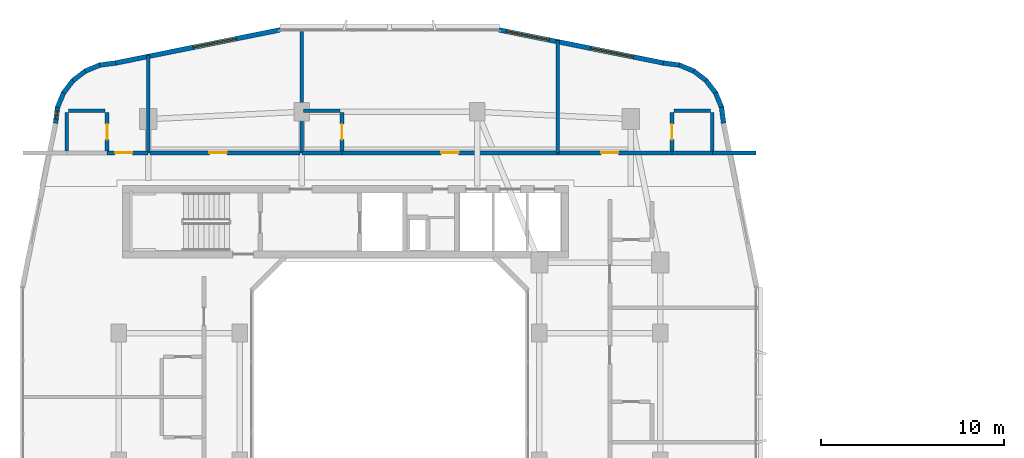
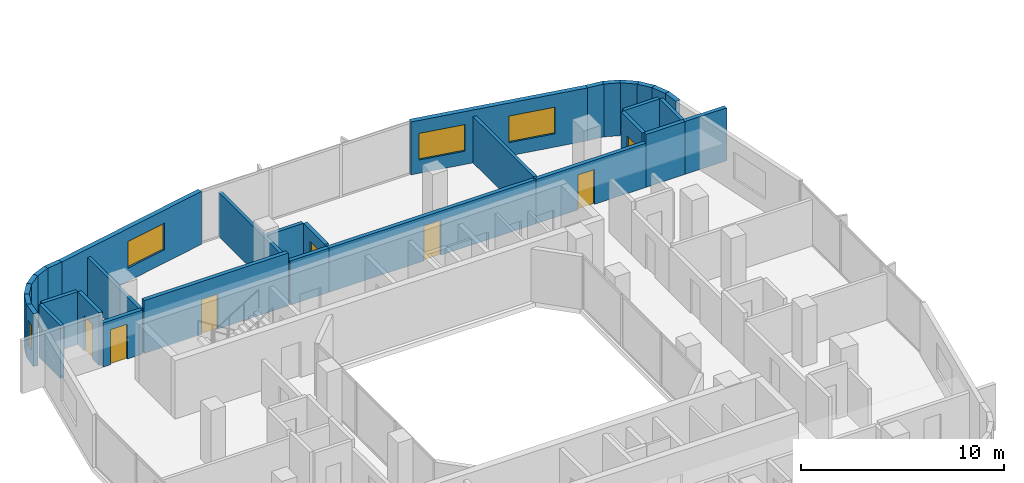
# One storey, part 16 of 26: 32 walls, 7 doors, 4 windows, 11 openings.
"""IFC4 building model written with IfcOpenShell, lengths in metres."""

import ifcopenshell
import ifcopenshell.guid

model = None  # the IFC model being written
_history = None  # IfcOwnerHistory: only IFC2X3 demands one
_inside = {}  # id of a spatial element -> (the spatial element, [elements in it])
_under = {}  # id of a project, library or spatial element -> (it, [spatial elements below it])
_declared = {}  # id of a project -> (the project, [libraries it declares])
_typed = {}  # id of a type object -> (the type object, [elements of that type])
_made_of = {}  # id of a material, layer set ... -> (it, [elements and type objects made of it])


def new_model(schema):
    """Start an empty IFC model of exactly this schema.

    Asked for "IFC4X3", IfcOpenShell would pick the latest addendum, in which some entities
    have other attributes; the version numbers below select the first issue.
    IFC2X3 requires an IfcOwnerHistory on every rooted entity: one is made here for all.
    """
    global model, _history
    if schema == "IFC4X3":
        model = ifcopenshell.file(schema_version=(4, 3, 0, 0))
    else:
        model = ifcopenshell.file(schema=schema)
    _inside.clear()
    _under.clear()
    _declared.clear()
    _typed.clear()
    _made_of.clear()
    _history = None
    if model.schema == "IFC2X3":
        org = make("IfcOrganization", Name="unknown")
        user = make(
            "IfcPersonAndOrganization",
            ThePerson=make("IfcPerson", FamilyName="unknown"),
            TheOrganization=org,
        )
        app = make(
            "IfcApplication",
            ApplicationDeveloper=org,
            Version="unknown",
            ApplicationFullName="unknown",
            ApplicationIdentifier="unknown",
        )
        _history = make(
            "IfcOwnerHistory",
            OwningUser=user,
            OwningApplication=app,
            ChangeAction="ADDED",
            CreationDate=0,
        )
    return model


def make(cls, **values):
    """One entity of the class cls with the attributes given. An attribute that is None is left unset."""
    return model.create_entity(
        cls, **{name: value for name, value in values.items() if value is not None}
    )


def rooted(cls, **values):
    """An entity with a GlobalId (a new one), such as an element, a storey or a relation."""
    return make(cls, GlobalId=ifcopenshell.guid.new(), OwnerHistory=_history, **values)


def si_unit(unit_type, name, prefix=None):
    """IfcSIUnit, for example si_unit("LENGTHUNIT", "METRE", prefix="MILLI")."""
    return make("IfcSIUnit", UnitType=unit_type, Prefix=prefix, Name=name)


def derived_unit(unit_type, elements):
    """IfcDerivedUnit: a product of units, each with its exponent."""
    return make(
        "IfcDerivedUnit",
        Elements=[
            make("IfcDerivedUnitElement", Unit=unit, Exponent=power)
            for unit, power in elements
        ],
        UnitType=unit_type,
    )


def assignment(units):
    """IfcUnitAssignment: the units of a project."""
    return None if units is None else make("IfcUnitAssignment", Units=units)


def point(xyz):
    """IfcCartesianPoint."""
    return None if xyz is None else make("IfcCartesianPoint", Coordinates=xyz)


def direction(xyz):
    """IfcDirection."""
    return None if xyz is None else make("IfcDirection", DirectionRatios=xyz)


def frame(location, z_axis=None, x_axis=None):
    """IfcAxis2Placement3D, a coordinate frame: its origin and axes. An axis left out is left unset."""
    return make(
        "IfcAxis2Placement3D",
        Location=point(location),
        Axis=direction(z_axis),
        RefDirection=direction(x_axis),
    )


def frame_2d(location, x_axis=None):
    """IfcAxis2Placement2D, a coordinate frame in the plane: its origin and x axis."""
    return make(
        "IfcAxis2Placement2D", Location=point(location), RefDirection=direction(x_axis)
    )


def origin():
    """The frame at (0, 0, 0) with its axes left unset."""
    return frame((0.0, 0.0, 0.0))


def place(relative_to, where):
    """IfcLocalPlacement: puts the frame where relative to a parent placement (None: the world)."""
    return make(
        "IfcLocalPlacement", PlacementRelTo=relative_to, RelativePlacement=where
    )


def context(
    kind, dimensions, precision=None, world=None, true_north=None, identifier=None
):
    """IfcGeometricRepresentationContext, for example the 3D "Model" context."""
    return make(
        "IfcGeometricRepresentationContext",
        ContextIdentifier=identifier,
        ContextType=kind,
        CoordinateSpaceDimension=dimensions,
        Precision=precision,
        WorldCoordinateSystem=world,
        TrueNorth=true_north,
    )


def subcontext(parent, identifier, kind, view, scale=None):
    """IfcGeometricRepresentationSubContext, for example "Body" below "Model"."""
    return make(
        "IfcGeometricRepresentationSubContext",
        ContextIdentifier=identifier,
        ContextType=kind,
        ParentContext=parent,
        TargetScale=scale,
        TargetView=view,
    )


def project(units=None, contexts=None):
    """IfcProject with its units and contexts."""
    return rooted(
        "IfcProject",
        Name="project",
        RepresentationContexts=contexts,
        UnitsInContext=assignment(units),
    )


def spatial(cls, under=None, at=None, **own):
    """A site, building, storey or space (cls), placed at a placement, below another one or the project."""
    s = rooted(cls, ObjectPlacement=at, **own)
    if under is not None:
        _under.setdefault(under.id(), (under, []))[1].append(s)
    return s


def profile(cls, at=None, kind="AREA", **sizes):
    """A parametric profile (cls). Its sizes go by their IFC names, for example OverallWidth=200.0."""
    return make(cls, ProfileType=kind, Position=at, **sizes)


def rectangle(**sizes):
    """IfcRectangleProfileDef."""
    return profile("IfcRectangleProfileDef", **sizes)


def extrude(swept, where, along, depth):
    """IfcExtrudedAreaSolid: the profile swept, set in the frame where, extruded along a direction by depth."""
    return make(
        "IfcExtrudedAreaSolid",
        SweptArea=swept,
        Position=where,
        ExtrudedDirection=direction(along),
        Depth=depth,
    )


def shape(context_of_items, identifier, shape_type, items):
    """IfcShapeRepresentation: the items that make up one representation, for example the "Body"."""
    return make(
        "IfcShapeRepresentation",
        ContextOfItems=context_of_items,
        RepresentationIdentifier=identifier,
        RepresentationType=shape_type,
        Items=items,
    )


def material(Name=None, Category=None):
    """IfcMaterial."""
    return make("IfcMaterial", Name=Name, Category=Category)


def layer(
    of_material, thickness, ventilated=None, Name=None, Category=None, Priority=None
):
    """IfcMaterialLayer: one layer of a wall or slab, of a material (None: an air gap)."""
    return make(
        "IfcMaterialLayer",
        Material=of_material,
        LayerThickness=thickness,
        IsVentilated=ventilated,
        Name=Name,
        Category=Category,
        Priority=Priority,
    )


def layer_set(layers, Name=None):
    """IfcMaterialLayerSet."""
    return make("IfcMaterialLayerSet", MaterialLayers=layers, LayerSetName=Name)


def made_of(thing, what):
    """Note that an element or type object is made of a material, layer set ...; save() writes the relation."""
    if what is not None:
        _made_of.setdefault(what.id(), (what, []))[1].append(thing)
    return thing


def type_object(cls, material=None, **own):
    """A type object (cls), such as IfcWallType, which elements share."""
    return made_of(rooted(cls, **own), material)


def element(
    cls,
    number,
    at=None,
    inside=None,
    cuts=None,
    type_object=None,
    material=None,
    context=None,
    identifier="Body",
    shape_type=None,
    held_by="IfcProductDefinitionShape",
    body=None,
    shapes=None,
    **own,
):
    """One element of the class cls, such as IfcWall. Its Tag is "e" and its number.

    at: its placement. inside: the storey or other place that contains it. cuts: it is an
    opening in that element (IfcRelVoidsElement). A single representation is given by context,
    identifier, shape_type and body (its items); several are given by shapes. held_by: the class
    of the entity that holds the representations. save() writes the other relations.
    """
    e = rooted(cls, Tag="e%d" % number, ObjectPlacement=at, **own)
    if body is not None:
        shapes = [shape(context, identifier, shape_type, body)]
    if shapes is not None:
        e.Representation = make(held_by, Representations=shapes)
    if inside is not None:
        _inside.setdefault(inside.id(), (inside, []))[1].append(e)
    if cuts is not None:
        rooted(
            "IfcRelVoidsElement", RelatingBuildingElement=cuts, RelatedOpeningElement=e
        )
    if type_object is not None:
        _typed.setdefault(type_object.id(), (type_object, []))[1].append(e)
    return made_of(e, material)


def fill(opening, filler):
    """IfcRelFillsElement: the door or window that sits in an opening."""
    return rooted(
        "IfcRelFillsElement",
        RelatingOpeningElement=opening,
        RelatedBuildingElement=filler,
    )


def aggregate(whole, parts):
    """IfcRelAggregates: a whole, such as a stair, and the parts it consists of."""
    return rooted("IfcRelAggregates", RelatingObject=whole, RelatedObjects=parts)


def save(model, path):
    """Write the relations noted so far, then the file.

    IfcRelAggregates (storeys below a building ...), IfcRelContainedInSpatialStructure (elements
    in a storey), IfcRelDefinesByType, IfcRelAssociatesMaterial and IfcRelDeclares: one each for
    every whole, place, type object, material and project.
    """
    for whole, parts in _under.values():
        aggregate(whole, parts)
    for where, things in _inside.values():
        rooted(
            "IfcRelContainedInSpatialStructure",
            RelatedElements=things,
            RelatingStructure=where,
        )
    for kind, things in _typed.values():
        rooted("IfcRelDefinesByType", RelatedObjects=things, RelatingType=kind)
    for what, things in _made_of.values():
        rooted("IfcRelAssociatesMaterial", RelatedObjects=things, RelatingMaterial=what)
    for by, libraries in _declared.values():
        rooted("IfcRelDeclares", RelatingContext=by, RelatedDefinitions=libraries)
    model.write(path)


model = new_model("IFC4")

# Units and contexts
model_context = context("Model", 3, precision=1e-05, world=origin(), true_north=direction((0.0, 1.0)))
body_context = subcontext(model_context, "Body", "Model", "MODEL_VIEW")
ifc_project = project(units=[si_unit("LENGTHUNIT", "METRE"), si_unit("AREAUNIT", "SQUARE_METRE"), si_unit("VOLUMEUNIT", "CUBIC_METRE"), si_unit("PLANEANGLEUNIT", "RADIAN"), si_unit("MASSUNIT", "GRAM", prefix="KILO"), derived_unit("THERMALTRANSMITTANCEUNIT", [(si_unit("POWERUNIT", "WATT"), 1), (si_unit("LENGTHUNIT", "METRE"), -2), (si_unit("THERMODYNAMICTEMPERATUREUNIT", "KELVIN"), -1)])], contexts=[model_context])

# Site, building, storey
site_placement = place(None, origin())
site = spatial("IfcSite", under=ifc_project, at=site_placement, CompositionType="ELEMENT")
building_placement = place(site_placement, origin())
building = spatial("IfcBuilding", under=site, at=building_placement, Name="Kivonza Crest Hotel", CompositionType="ELEMENT")
storey_placement = place(building_placement, frame((0.0, 0.0, 116.0)))
storey = spatial("IfcBuildingStorey", under=building, at=storey_placement, Name="L31", CompositionType="ELEMENT", Elevation=116.0)

# Walls
ifc_material_1 = material(Name="High-density acoustic masonry inter-tenancy wall", Category="masonry")
ifc_layer_1 = layer(ifc_material_1, 0.179931640625)
ifc_layer_set_1 = layer_set([ifc_layer_1], Name="High-density acoustic masonry inter-tenancy wall")
wall_type_1 = type_object("IfcWallType", Name="WL-ACOU-180", PredefinedType="SOLIDWALL", material=ifc_layer_set_1)
wall_1_placement = place(storey_placement, frame((7.800048828125, 38.35009765625, 0.0), z_axis=(0.0, 0.0, 1.0), x_axis=(0.0, 1.0, 0.0)))
element("IfcWall", 1, at=wall_1_placement, inside=storey, type_object=wall_type_1, Name="L31 interior partition WA-L31-T1N-DIV1", PredefinedType="SOLIDWALL", context=body_context, shape_type="SweptSolid", body=[
    extrude(rectangle(XDim=5.350830078125, YDim=0.179931640625, at=frame_2d((2.67529296875, 0.0))), origin(), (0.0, 0.0, 1.0), 2.655029296875),
])
wall_2_placement = place(storey_placement, frame((16.199951171875, 38.35009765625, 0.0), z_axis=(0.0, 0.0, 1.0), x_axis=(0.0, 1.0, 0.0)))
element("IfcWall", 2, at=wall_2_placement, inside=storey, type_object=wall_type_1, Name="L31 interior partition WA-L31-T1N-DIV2", PredefinedType="SOLIDWALL", context=body_context, shape_type="SweptSolid", body=[
    extrude(rectangle(XDim=6.789794921875, YDim=0.179931640625, at=frame_2d((3.39501953125, 0.0))), origin(), (0.0, 0.0, 1.0), 2.655029296875),
])
wall_3_placement = place(storey_placement, frame((30.199951171875, 38.35009765625, 0.0), z_axis=(0.0, 0.0, 1.0), x_axis=(0.0, 1.0, 0.0)))
element("IfcWall", 3, at=wall_3_placement, inside=storey, type_object=wall_type_1, Name="L31 interior partition WA-L31-T1N-DIV3", PredefinedType="SOLIDWALL", context=body_context, shape_type="SweptSolid", body=[
    extrude(rectangle(XDim=6.156982421875, YDim=0.179931640625, at=frame_2d((3.07861328125, 0.0))), origin(), (0.0, 0.0, 1.0), 2.794921875),
])

# Wall, opening, door
ifc_material_2 = material(Name="Autoclaved aerated concrete blockwork", Category="masonry")
ifc_layer_2 = layer(ifc_material_2, 0.219970703125)
ifc_layer_set_2 = layer_set([ifc_layer_2], Name="Autoclaved aerated concrete blockwork")
wall_type_2 = type_object("IfcWallType", Name="WL-ACOU-220", PredefinedType="SOLIDWALL", material=ifc_layer_set_2)
wall_4_placement = place(storey_placement, frame((5.550048828125, 38.35009765625, 0.0), z_axis=(0.0, 0.0, 1.0), x_axis=(1.0, 0.0, 0.0)))
wall_4 = element("IfcWall", 4, at=wall_4_placement, inside=storey, type_object=wall_type_2, Name="L31 interior partition WA-L31-N01-MCORR", PredefinedType="SOLIDWALL", context=body_context, shape_type="SweptSolid", body=[
    extrude(rectangle(XDim=2.25, YDim=0.219970703125, at=frame_2d((1.125, 0.0))), origin(), (0.0, 0.0, 1.0), 2.655029296875),
])
opening_1_placement = place(wall_4_placement, frame((0.43994140625, 0.0, 0.0)))
opening_1 = element("IfcOpeningElement", 5, at=opening_1_placement, cuts=wall_4, Name="Opening DU-60", PredefinedType="OPENING", context=body_context, shape_type="SweptSolid", body=[
    extrude(rectangle(XDim=0.949951171875, YDim=2.10009765625, at=frame_2d((0.47509765625, 1.050048828125))), frame((0.0, 0.1201171875, 0.0), z_axis=(0.0, -1.0, 0.0), x_axis=(1.0, 0.0, 0.0)), (0.0, 0.0, 1.0), 0.239990234375),
])
ifc_material_3 = material(Name="Hardwood timber oak", Category="wood")
door_type_1 = type_object("IfcDoorType", Name="DR-UNIT-950", OperationType="NOTDEFINED", PredefinedType="DOOR", material=ifc_material_3)
door_1_placement = place(opening_1_placement, origin())
door_1 = element("IfcDoor", 6, at=door_1_placement, inside=storey, type_object=door_type_1, Name="L31 N01 guest unit entrance fire door", OperationType="SINGLE_SWING_LEFT", OverallHeight=2.10009765625, OverallWidth=0.949951171875, PredefinedType="DOOR", context=body_context, shape_type="SweptSolid", body=[
    extrude(rectangle(XDim=0.949951171875, YDim=2.10009765625, at=frame_2d((0.47509765625, 1.050048828125))), frame((0.0, 0.02490234375, 0.0), z_axis=(0.0, -1.0, 0.0), x_axis=(1.0, 0.0, 0.0)), (0.0, 0.0, 1.0), 0.050048828125),
])
fill(opening_1, door_1)

wall_5_placement = place(storey_placement, frame((7.89990234375, 38.35009765625, 0.0), z_axis=(0.0, 0.0, 1.0), x_axis=(1.0, 0.0, 0.0)))
wall_5 = element("IfcWall", 7, at=wall_5_placement, inside=storey, type_object=wall_type_2, Name="L31 interior partition WA-L31-HK-MAIN-S", PredefinedType="SOLIDWALL", context=body_context, shape_type="SweptSolid", body=[
    extrude(rectangle(XDim=8.2001953125, YDim=0.219970703125, at=frame_2d((4.10009765625, 0.0))), origin(), (0.0, 0.0, 1.0), 3.179931640625),
])
opening_2_placement = place(wall_5_placement, frame((3.251953125, 0.0, 0.0)))
opening_2 = element("IfcOpeningElement", 8, at=opening_2_placement, cuts=wall_5, Name="Opening DF-60S", PredefinedType="OPENING", context=body_context, shape_type="SweptSolid", body=[
    extrude(rectangle(XDim=0.949951171875, YDim=2.10009765625, at=frame_2d((0.47509765625, 1.050048828125))), frame((0.0, 0.1201171875, 0.0), z_axis=(0.0, -1.0, 0.0), x_axis=(1.0, 0.0, 0.0)), (0.0, 0.0, 1.0), 0.239990234375),
])
door_type_2 = type_object("IfcDoorType", Name="DR-FD60-950", OperationType="NOTDEFINED", PredefinedType="DOOR", material=ifc_material_3)
door_2_placement = place(opening_2_placement, origin())
door_2 = element("IfcDoor", 9, at=door_2_placement, inside=storey, type_object=door_type_2, Name="L31 Housekeeping and Linen Room door", OperationType="SINGLE_SWING_RIGHT", OverallHeight=2.10009765625, OverallWidth=0.949951171875, PredefinedType="DOOR", context=body_context, shape_type="SweptSolid", body=[
    extrude(rectangle(XDim=0.949951171875, YDim=2.10009765625, at=frame_2d((0.47509765625, 1.050048828125))), frame((0.0, 0.02490234375, 0.0), z_axis=(0.0, -1.0, 0.0), x_axis=(1.0, 0.0, 0.0)), (0.0, 0.0, 1.0), 0.050048828125),
])
fill(opening_2, door_2)

# Wall
wall_6_placement = place(storey_placement, frame((16.199951171875, 38.35009765625, 0.0), z_axis=(0.0, 0.0, 1.0), x_axis=(1.0, 0.0, 0.0)))
element("IfcWall", 10, at=wall_6_placement, inside=storey, type_object=wall_type_2, Name="L31 interior partition WA-L31-N02-BCORR", PredefinedType="SOLIDWALL", context=body_context, shape_type="SweptSolid", body=[
    extrude(rectangle(XDim=2.199951171875, YDim=0.219970703125, at=frame_2d((1.10009765625, 0.0))), origin(), (0.0, 0.0, 1.0), 2.655029296875),
])

# Wall, opening, door
wall_7_placement = place(storey_placement, frame((18.39990234375, 38.35009765625, 0.0), z_axis=(0.0, 0.0, 1.0), x_axis=(1.0, 0.0, 0.0)))
wall_7 = element("IfcWall", 11, at=wall_7_placement, inside=storey, type_object=wall_type_2, Name="L31 interior partition WA-L31-N02-MCORR", PredefinedType="SOLIDWALL", context=body_context, shape_type="SweptSolid", body=[
    extrude(rectangle(XDim=11.800048828125, YDim=0.219970703125, at=frame_2d((5.89990234375, 0.0))), origin(), (0.0, 0.0, 1.0), 2.655029296875),
])
opening_3_placement = place(wall_7_placement, frame((5.425048828125, 0.0, 0.0)))
opening_3 = element("IfcOpeningElement", 12, at=opening_3_placement, cuts=wall_7, Name="Opening DU-60", PredefinedType="OPENING", context=body_context, shape_type="SweptSolid", body=[
    extrude(rectangle(XDim=0.949951171875, YDim=2.10009765625, at=frame_2d((0.47509765625, 1.050048828125))), frame((0.0, 0.1201171875, 0.0), z_axis=(0.0, -1.0, 0.0), x_axis=(1.0, 0.0, 0.0)), (0.0, 0.0, 1.0), 0.239990234375),
])
door_3_placement = place(opening_3_placement, origin())
door_3 = element("IfcDoor", 13, at=door_3_placement, inside=storey, type_object=door_type_1, Name="L31 N02 guest unit entrance fire door", OperationType="SINGLE_SWING_RIGHT", OverallHeight=2.10009765625, OverallWidth=0.949951171875, PredefinedType="DOOR", context=body_context, shape_type="SweptSolid", body=[
    extrude(rectangle(XDim=0.949951171875, YDim=2.10009765625, at=frame_2d((0.47509765625, 1.050048828125))), frame((0.0, 0.02490234375, 0.0), z_axis=(0.0, -1.0, 0.0), x_axis=(1.0, 0.0, 0.0)), (0.0, 0.0, 1.0), 0.050048828125),
])
fill(opening_3, door_3)

# Walls
wall_8_placement = place(storey_placement, frame((38.64990234375, 38.35009765625, 0.0), z_axis=(0.0, 0.0, 1.0), x_axis=(1.0, 0.0, 0.0)))
element("IfcWall", 14, at=wall_8_placement, inside=storey, type_object=wall_type_2, Name="L31 interior partition WA-L31-N03-XCORR", PredefinedType="SOLIDWALL", context=body_context, shape_type="SweptSolid", body=[
    extrude(rectangle(XDim=2.39013671875, YDim=0.219970703125, at=frame_2d((1.195068359375, 0.0))), origin(), (0.0, 0.0, 1.0), 3.179931640625),
])
wall_9_placement = place(storey_placement, frame((36.449951171875, 38.35009765625, 0.0), z_axis=(0.0, 0.0, 1.0), x_axis=(1.0, 0.0, 0.0)))
element("IfcWall", 15, at=wall_9_placement, inside=storey, type_object=wall_type_2, Name="L31 interior partition WA-L31-N03-BCORR", PredefinedType="SOLIDWALL", context=body_context, shape_type="SweptSolid", body=[
    extrude(rectangle(XDim=2.199951171875, YDim=0.219970703125, at=frame_2d((1.10009765625, 0.0))), origin(), (0.0, 0.0, 1.0), 3.179931640625),
])

# Wall, opening, door
wall_10_placement = place(storey_placement, frame((30.199951171875, 38.35009765625, 0.0), z_axis=(0.0, 0.0, 1.0), x_axis=(1.0, 0.0, 0.0)))
wall_10 = element("IfcWall", 16, at=wall_10_placement, inside=storey, type_object=wall_type_2, Name="L31 interior partition WA-L31-N03-MCORR", PredefinedType="SOLIDWALL", context=body_context, shape_type="SweptSolid", body=[
    extrude(rectangle(XDim=6.25, YDim=0.219970703125, at=frame_2d((3.125, 0.0))), origin(), (0.0, 0.0, 1.0), 2.655029296875),
])
opening_4_placement = place(wall_10_placement, frame((2.3701171875, 0.0, 0.0)))
opening_4 = element("IfcOpeningElement", 17, at=opening_4_placement, cuts=wall_10, Name="Opening DU-60", PredefinedType="OPENING", context=body_context, shape_type="SweptSolid", body=[
    extrude(rectangle(XDim=0.949951171875, YDim=2.10009765625, at=frame_2d((0.47509765625, 1.050048828125))), frame((0.0, 0.1201171875, 0.0), z_axis=(0.0, -1.0, 0.0), x_axis=(1.0, 0.0, 0.0)), (0.0, 0.0, 1.0), 0.239990234375),
])
door_4_placement = place(opening_4_placement, origin())
door_4 = element("IfcDoor", 18, at=door_4_placement, inside=storey, type_object=door_type_1, Name="L31 N03 guest unit entrance fire door", OperationType="SINGLE_SWING_LEFT", OverallHeight=2.10009765625, OverallWidth=0.949951171875, PredefinedType="DOOR", context=body_context, shape_type="SweptSolid", body=[
    extrude(rectangle(XDim=0.949951171875, YDim=2.10009765625, at=frame_2d((0.47509765625, 1.050048828125))), frame((0.0, 0.02490234375, 0.0), z_axis=(0.0, -1.0, 0.0), x_axis=(1.0, 0.0, 0.0)), (0.0, 0.0, 1.0), 0.050048828125),
])
fill(opening_4, door_4)

# Walls
ifc_material_4 = material(Name="Precast concrete C40/50", Category="concrete")
ifc_layer_3 = layer(ifc_material_4, 0.260009765625)
ifc_layer_set_3 = layer_set([ifc_layer_3], Name="Precast concrete C40/50")
wall_type_3 = type_object("IfcWallType", Name="WL-EXT-260", PredefinedType="STANDARD", material=ifc_layer_set_3)
wall_11_placement = place(storey_placement, frame((39.27197265625, 39.97509765625, 0.0), z_axis=(0.0, 0.0, 1.0), x_axis=(-0.130953706898, 0.991388484223, 0.0)))
element("IfcWall", 19, at=wall_11_placement, inside=storey, type_object=wall_type_3, Name="L31 T1 exterior insulated wall 19", PredefinedType="STANDARD", context=body_context, shape_type="SweptSolid", body=[
    extrude(rectangle(XDim=0.885498046875, YDim=0.260009765625, at=frame_2d((0.44287109375, 0.0))), origin(), (0.0, 0.0, 1.0), 3.179931640625),
])
wall_12_placement = place(storey_placement, frame((39.174072265625, 40.806884765625, 0.0), z_axis=(0.0, 0.0, 1.0), x_axis=(-0.383290660547, 0.923627776508, 0.0)))
element("IfcWall", 20, at=wall_12_placement, inside=storey, type_object=wall_type_3, Name="L31 T1 exterior insulated wall 20", PredefinedType="STANDARD", context=body_context, shape_type="SweptSolid", body=[
    extrude(rectangle(XDim=0.9033203125, YDim=0.260009765625, at=frame_2d((0.45166015625, 0.0))), origin(), (0.0, 0.0, 1.0), 3.179931640625),
])
wall_13_placement = place(storey_placement, frame((38.85595703125, 41.60107421875, 0.0), z_axis=(0.0, 0.0, 1.0), x_axis=(-0.608624690463, 0.793458244748, 0.0)))
element("IfcWall", 21, at=wall_13_placement, inside=storey, type_object=wall_type_3, Name="L31 T1 exterior insulated wall 21", PredefinedType="STANDARD", context=body_context, shape_type="SweptSolid", body=[
    extrude(rectangle(XDim=0.902099609375, YDim=0.260009765625, at=frame_2d((0.451171875, 0.0))), origin(), (0.0, 0.0, 1.0), 3.179931640625),
])
wall_14_placement = place(storey_placement, frame((38.344970703125, 42.285888671875, 0.0), z_axis=(0.0, 0.0, 1.0), x_axis=(-0.793558456666, 0.608494022858, 0.0)))
element("IfcWall", 22, at=wall_14_placement, inside=storey, type_object=wall_type_3, Name="L31 T1 exterior insulated wall 22", PredefinedType="STANDARD", context=body_context, shape_type="SweptSolid", body=[
    extrude(rectangle(XDim=0.90234375, YDim=0.260009765625, at=frame_2d((0.451171875, 0.0))), origin(), (0.0, 0.0, 1.0), 3.179931640625),
])
wall_15_placement = place(storey_placement, frame((37.673095703125, 42.81396484375, 0.0), z_axis=(0.0, 0.0, 1.0), x_axis=(-0.923683767999, 0.383155708213, 0.0)))
element("IfcWall", 23, at=wall_15_placement, inside=storey, type_object=wall_type_3, Name="L31 T1 exterior insulated wall 23", PredefinedType="STANDARD", context=body_context, shape_type="SweptSolid", body=[
    extrude(rectangle(XDim=0.90283203125, YDim=0.260009765625, at=frame_2d((0.451416015625, 0.0))), origin(), (0.0, 0.0, 1.0), 3.179931640625),
])
wall_16_placement = place(storey_placement, frame((36.887939453125, 43.152099609375, 0.0), z_axis=(0.0, 0.0, 1.0), x_axis=(-0.991487658083, 0.130200706103, 0.0)))
element("IfcWall", 24, at=wall_16_placement, inside=storey, type_object=wall_type_3, Name="L31 T1 exterior insulated wall 24", PredefinedType="STANDARD", context=body_context, shape_type="SweptSolid", body=[
    extrude(rectangle(XDim=0.920654296875, YDim=0.260009765625, at=frame_2d((0.46044921875, 0.0))), origin(), (0.0, 0.0, 1.0), 3.179931640625),
])

# Wall, openings, windows
wall_17_placement = place(storey_placement, frame((35.98193359375, 43.27099609375, 0.0), z_axis=(0.0, 0.0, 1.0), x_axis=(-0.980315963543, 0.197435082048, 0.0)))
wall_17 = element("IfcWall", 25, at=wall_17_placement, inside=storey, type_object=wall_type_3, Name="L31 T1 exterior insulated wall 25", PredefinedType="STANDARD", context=body_context, shape_type="SweptSolid", body=[
    extrude(rectangle(XDim=9.1826171875, YDim=0.260009765625, at=frame_2d((4.59130859375, 0.0))), origin(), (0.0, 0.0, 1.0), 3.179931640625),
])
opening_5_placement = place(wall_17_placement, frame((1.68701171875, 0.0, 0.800048828125)))
opening_5 = element("IfcOpeningElement", 26, at=opening_5_placement, cuts=wall_17, Name="Opening WN-05", PredefinedType="OPENING", context=body_context, shape_type="SweptSolid", body=[
    extrude(rectangle(XDim=2.39990234375, YDim=1.60009765625, at=frame_2d((1.199951171875, 0.800048828125))), frame((0.0, 0.14013671875, 0.0), z_axis=(0.0, -1.0, 0.0), x_axis=(1.0, 0.0, 0.0)), (0.0, 0.0, 1.0), 0.280029296875),
])
opening_6_placement = place(wall_17_placement, frame((6.376953125, 0.0, 0.800048828125)))
opening_6 = element("IfcOpeningElement", 27, at=opening_6_placement, cuts=wall_17, Name="Opening WN-05", PredefinedType="OPENING", context=body_context, shape_type="SweptSolid", body=[
    extrude(rectangle(XDim=2.39990234375, YDim=1.60009765625, at=frame_2d((1.199951171875, 0.800048828125))), frame((0.0, 0.14013671875, 0.0), z_axis=(0.0, -1.0, 0.0), x_axis=(1.0, 0.0, 0.0)), (0.0, 0.0, 1.0), 0.280029296875),
])
ifc_material_5 = material(Name="Thermally broken bronze aluminium and low-E double glazing", Category="aluminium")
window_type_1 = type_object("IfcWindowType", Name="WN-240x160", PartitioningType="TRIPLE_PANEL_VERTICAL", PredefinedType="WINDOW", material=ifc_material_5)
window_1_placement = place(opening_5_placement, origin())
window_1 = element("IfcWindow", 28, at=window_1_placement, inside=storey, type_object=window_type_1, Name="L31 T1 facade window 25 bay 1", OverallHeight=1.60009765625, OverallWidth=2.39990234375, PartitioningType="SINGLE_PANEL", PredefinedType="WINDOW", context=body_context, shape_type="SweptSolid", body=[
    extrude(rectangle(XDim=2.39990234375, YDim=1.60009765625, at=frame_2d((1.199951171875, 0.800048828125))), frame((0.0, 0.030029296875, 0.0), z_axis=(0.0, -1.0, 0.0), x_axis=(1.0, 0.0, 0.0)), (0.0, 0.0, 1.0), 0.06005859375),
])
fill(opening_5, window_1)
window_2_placement = place(opening_6_placement, origin())
window_2 = element("IfcWindow", 29, at=window_2_placement, inside=storey, type_object=window_type_1, Name="L31 T1 facade window 25 bay 2", OverallHeight=1.60009765625, OverallWidth=2.39990234375, PartitioningType="SINGLE_PANEL", PredefinedType="WINDOW", context=body_context, shape_type="SweptSolid", body=[
    extrude(rectangle(XDim=2.39990234375, YDim=1.60009765625, at=frame_2d((1.199951171875, 0.800048828125))), frame((0.0, 0.030029296875, 0.0), z_axis=(0.0, -1.0, 0.0), x_axis=(1.0, 0.0, 0.0)), (0.0, 0.0, 1.0), 0.06005859375),
])
fill(opening_6, window_2)

# Wall, opening, window
wall_18_placement = place(storey_placement, frame((15.02001953125, 45.083984375, 0.0), z_axis=(0.0, 0.0, 1.0), x_axis=(-0.980315963543, -0.197435082048, 0.0)))
wall_18 = element("IfcWall", 30, at=wall_18_placement, inside=storey, type_object=wall_type_3, Name="L31 T1 exterior insulated wall 27", PredefinedType="STANDARD", context=body_context, shape_type="SweptSolid", body=[
    extrude(rectangle(XDim=9.1826171875, YDim=0.260009765625, at=frame_2d((4.59130859375, 0.0))), origin(), (0.0, 0.0, 1.0), 3.179931640625),
])
opening_7_placement = place(wall_18_placement, frame((2.445068359375, 0.0, 0.800048828125)))
opening_7 = element("IfcOpeningElement", 31, at=opening_7_placement, cuts=wall_18, Name="Opening WN-05", PredefinedType="OPENING", context=body_context, shape_type="SweptSolid", body=[
    extrude(rectangle(XDim=2.39990234375, YDim=1.60009765625, at=frame_2d((1.199951171875, 0.800048828125))), frame((0.0, 0.14013671875, 0.0), z_axis=(0.0, -1.0, 0.0), x_axis=(1.0, 0.0, 0.0)), (0.0, 0.0, 1.0), 0.280029296875),
])
window_3_placement = place(opening_7_placement, origin())
window_3 = element("IfcWindow", 32, at=window_3_placement, inside=storey, type_object=window_type_1, Name="L31 T1 facade window 27", OverallHeight=1.60009765625, OverallWidth=2.39990234375, PartitioningType="SINGLE_PANEL", PredefinedType="WINDOW", context=body_context, shape_type="SweptSolid", body=[
    extrude(rectangle(XDim=2.39990234375, YDim=1.60009765625, at=frame_2d((1.199951171875, 0.800048828125))), frame((0.0, 0.030029296875, 0.0), z_axis=(0.0, -1.0, 0.0), x_axis=(1.0, 0.0, 0.0)), (0.0, 0.0, 1.0), 0.06005859375),
])
fill(opening_7, window_3)

# Walls
wall_19_placement = place(storey_placement, frame((6.02490234375, 43.27197265625, 0.0), z_axis=(0.0, 0.0, 1.0), x_axis=(-0.991388484223, -0.130953706898, 0.0)))
element("IfcWall", 33, at=wall_19_placement, inside=storey, type_object=wall_type_3, Name="L31 T1 exterior insulated wall 28", PredefinedType="STANDARD", context=body_context, shape_type="SweptSolid", body=[
    extrude(rectangle(XDim=0.885498046875, YDim=0.260009765625, at=frame_2d((0.44287109375, 0.0))), origin(), (0.0, 0.0, 1.0), 3.179931640625),
])
wall_20_placement = place(storey_placement, frame((5.193115234375, 43.174072265625, 0.0), z_axis=(0.0, 0.0, 1.0), x_axis=(-0.923627776508, -0.383290660547, 0.0)))
element("IfcWall", 34, at=wall_20_placement, inside=storey, type_object=wall_type_3, Name="L31 T1 exterior insulated wall 29", PredefinedType="STANDARD", context=body_context, shape_type="SweptSolid", body=[
    extrude(rectangle(XDim=0.9033203125, YDim=0.260009765625, at=frame_2d((0.45166015625, 0.0))), origin(), (0.0, 0.0, 1.0), 3.179931640625),
])
wall_21_placement = place(storey_placement, frame((4.39892578125, 42.85595703125, 0.0), z_axis=(0.0, 0.0, 1.0), x_axis=(-0.793458244748, -0.608624690463, 0.0)))
element("IfcWall", 35, at=wall_21_placement, inside=storey, type_object=wall_type_3, Name="L31 T1 exterior insulated wall 30", PredefinedType="STANDARD", context=body_context, shape_type="SweptSolid", body=[
    extrude(rectangle(XDim=0.902099609375, YDim=0.260009765625, at=frame_2d((0.451171875, 0.0))), origin(), (0.0, 0.0, 1.0), 3.179931640625),
])
wall_22_placement = place(storey_placement, frame((3.714111328125, 42.344970703125, 0.0), z_axis=(0.0, 0.0, 1.0), x_axis=(-0.608494022858, -0.793558456666, 0.0)))
element("IfcWall", 36, at=wall_22_placement, inside=storey, type_object=wall_type_3, Name="L31 T1 exterior insulated wall 31", PredefinedType="STANDARD", context=body_context, shape_type="SweptSolid", body=[
    extrude(rectangle(XDim=0.90234375, YDim=0.260009765625, at=frame_2d((0.451171875, 0.0))), origin(), (0.0, 0.0, 1.0), 3.179931640625),
])
wall_23_placement = place(storey_placement, frame((3.18603515625, 41.673095703125, 0.0), z_axis=(0.0, 0.0, 1.0), x_axis=(-0.383155708213, -0.923683767999, 0.0)))
element("IfcWall", 37, at=wall_23_placement, inside=storey, type_object=wall_type_3, Name="L31 T1 exterior insulated wall 32", PredefinedType="STANDARD", context=body_context, shape_type="SweptSolid", body=[
    extrude(rectangle(XDim=0.90283203125, YDim=0.260009765625, at=frame_2d((0.451416015625, 0.0))), origin(), (0.0, 0.0, 1.0), 3.179931640625),
])

# Wall, opening, window
wall_24_placement = place(storey_placement, frame((2.847900390625, 40.887939453125, 0.0), z_axis=(0.0, 0.0, 1.0), x_axis=(-0.130200706103, -0.991487658083, 0.0)))
wall_24 = element("IfcWall", 38, at=wall_24_placement, inside=storey, type_object=wall_type_3, Name="L31 T1 exterior insulated wall 33", PredefinedType="STANDARD", context=body_context, shape_type="SweptSolid", body=[
    extrude(rectangle(XDim=0.920654296875, YDim=0.260009765625, at=frame_2d((0.46044921875, 0.0))), origin(), (0.0, 0.0, 1.0), 3.179931640625),
])
opening_8_placement = place(wall_24_placement, frame((0.235107421875, 0.0, 0.85009765625)))
opening_8 = element("IfcOpeningElement", 39, at=opening_8_placement, cuts=wall_24, Name="Opening WN-11", PredefinedType="OPENING", context=body_context, shape_type="SweptSolid", body=[
    extrude(rectangle(XDim=0.449951171875, YDim=1.5, at=frame_2d((0.22509765625, 0.75))), frame((0.0, 0.14013671875, 0.0), z_axis=(0.0, -1.0, 0.0), x_axis=(1.0, 0.0, 0.0)), (0.0, 0.0, 1.0), 0.280029296875),
])
window_type_2 = type_object("IfcWindowType", Name="WN-045x150", PartitioningType="SINGLE_PANEL", PredefinedType="WINDOW", material=ifc_material_5)
window_4_placement = place(opening_8_placement, origin())
window_4 = element("IfcWindow", 40, at=window_4_placement, inside=storey, type_object=window_type_2, Name="L31 corner vision window 1", OverallHeight=1.5, OverallWidth=0.449951171875, PartitioningType="SINGLE_PANEL", PredefinedType="WINDOW", context=body_context, shape_type="SweptSolid", body=[
    extrude(rectangle(XDim=0.449951171875, YDim=1.5, at=frame_2d((0.22509765625, 0.75))), frame((0.0, 0.030029296875, 0.0), z_axis=(0.0, -1.0, 0.0), x_axis=(1.0, 0.0, 0.0)), (0.0, 0.0, 1.0), 0.06005859375),
])
fill(opening_8, window_4)

# Wall, opening, door
ifc_material_6 = material(Name="Moisture-resistant plumbing chase partition wall", Category="gypsum")
ifc_layer_4 = layer(ifc_material_6, 0.199951171875)
ifc_layer_set_4 = layer_set([ifc_layer_4], Name="Moisture-resistant plumbing chase partition wall")
wall_type_4 = type_object("IfcWallType", Name="WL-PLUMB-200", PredefinedType="PLUMBINGWALL", material=ifc_layer_set_4)
wall_25_placement = place(storey_placement, frame((5.550048828125, 38.449951171875, 0.0), z_axis=(0.0, 0.0, 1.0), x_axis=(0.0, 1.0, 0.0)))
wall_25 = element("IfcWall", 41, at=wall_25_placement, inside=storey, type_object=wall_type_4, Name="L31 interior partition WW-L31-N01-BV", PredefinedType="PLUMBINGWALL", context=body_context, shape_type="SweptSolid", body=[
    extrude(rectangle(XDim=2.10009765625, YDim=0.199951171875, at=frame_2d((1.050048828125, 0.0))), origin(), (0.0, 0.0, 1.0), 3.179931640625),
])
opening_9_placement = place(wall_25_placement, frame((0.625, 0.0, 0.0)))
opening_9 = element("IfcOpeningElement", 42, at=opening_9_placement, cuts=wall_25, Name="Opening DI-85", PredefinedType="OPENING", context=body_context, shape_type="SweptSolid", body=[
    extrude(rectangle(XDim=0.85009765625, YDim=2.10009765625, at=frame_2d((0.425048828125, 1.050048828125))), frame((0.0, 0.10986328125, 0.0), z_axis=(0.0, -1.0, 0.0), x_axis=(1.0, 0.0, 0.0)), (0.0, 0.0, 1.0), 0.219970703125),
])
door_type_3 = type_object("IfcDoorType", Name="DR-INT-850", OperationType="NOTDEFINED", PredefinedType="DOOR", material=ifc_material_3)
door_5_placement = place(opening_9_placement, frame((0.85009765625, 0.0, 0.0), z_axis=(0.0, 0.0, 1.0), x_axis=(-1.0, 0.0, 0.0)))
door_5 = element("IfcDoor", 43, at=door_5_placement, inside=storey, type_object=door_type_3, Name="L31 N01 en-suite bathroom door", OperationType="SINGLE_SWING_RIGHT", OverallHeight=2.10009765625, OverallWidth=0.85009765625, PredefinedType="DOOR", context=body_context, shape_type="SweptSolid", body=[
    extrude(rectangle(XDim=0.85009765625, YDim=2.10009765625, at=frame_2d((0.425048828125, 1.050048828125))), frame((0.0, 0.02490234375, 0.0), z_axis=(0.0, -1.0, 0.0), x_axis=(1.0, 0.0, 0.0)), (0.0, 0.0, 1.0), 0.050048828125),
])
fill(opening_9, door_5)

# Walls
wall_26_placement = place(storey_placement, frame((3.449951171875, 40.64990234375, 0.0), z_axis=(0.0, 0.0, 1.0), x_axis=(1.0, 0.0, 0.0)))
element("IfcWall", 44, at=wall_26_placement, inside=storey, type_object=wall_type_4, Name="L31 interior partition WW-L31-N01-BH", PredefinedType="PLUMBINGWALL", context=body_context, shape_type="SweptSolid", body=[
    extrude(rectangle(XDim=2.0, YDim=0.199951171875, at=frame_2d((1.0, 0.0))), origin(), (0.0, 0.0, 1.0), 3.179931640625),
])
wall_27_placement = place(storey_placement, frame((3.35009765625, 38.449951171875, 0.0), z_axis=(0.0, 0.0, 1.0), x_axis=(0.0, 1.0, 0.0)))
element("IfcWall", 45, at=wall_27_placement, inside=storey, type_object=wall_type_4, Name="L31 interior partition WW-L31-N01-BVW", PredefinedType="PLUMBINGWALL", context=body_context, shape_type="SweptSolid", body=[
    extrude(rectangle(XDim=2.10009765625, YDim=0.199951171875, at=frame_2d((1.050048828125, 0.0))), origin(), (0.0, 0.0, 1.0), 3.179931640625),
])

# Wall, opening, door
wall_28_placement = place(storey_placement, frame((18.39990234375, 38.449951171875, 0.0), z_axis=(0.0, 0.0, 1.0), x_axis=(0.0, 1.0, 0.0)))
wall_28 = element("IfcWall", 46, at=wall_28_placement, inside=storey, type_object=wall_type_4, Name="L31 interior partition WW-L31-N02-BV", PredefinedType="PLUMBINGWALL", context=body_context, shape_type="SweptSolid", body=[
    extrude(rectangle(XDim=2.10009765625, YDim=0.199951171875, at=frame_2d((1.050048828125, 0.0))), origin(), (0.0, 0.0, 1.0), 2.794921875),
])
opening_10_placement = place(wall_28_placement, frame((0.625, 0.0, 0.0)))
opening_10 = element("IfcOpeningElement", 47, at=opening_10_placement, cuts=wall_28, Name="Opening DI-85", PredefinedType="OPENING", context=body_context, shape_type="SweptSolid", body=[
    extrude(rectangle(XDim=0.85009765625, YDim=2.10009765625, at=frame_2d((0.425048828125, 1.050048828125))), frame((0.0, 0.10986328125, 0.0), z_axis=(0.0, -1.0, 0.0), x_axis=(1.0, 0.0, 0.0)), (0.0, 0.0, 1.0), 0.219970703125),
])
door_6_placement = place(opening_10_placement, frame((0.85009765625, 0.0, 0.0), z_axis=(0.0, 0.0, 1.0), x_axis=(-1.0, 0.0, 0.0)))
door_6 = element("IfcDoor", 48, at=door_6_placement, inside=storey, type_object=door_type_3, Name="L31 N02 en-suite bathroom door", OperationType="SINGLE_SWING_LEFT", OverallHeight=2.10009765625, OverallWidth=0.85009765625, PredefinedType="DOOR", context=body_context, shape_type="SweptSolid", body=[
    extrude(rectangle(XDim=0.85009765625, YDim=2.10009765625, at=frame_2d((0.425048828125, 1.050048828125))), frame((0.0, 0.02490234375, 0.0), z_axis=(0.0, -1.0, 0.0), x_axis=(1.0, 0.0, 0.0)), (0.0, 0.0, 1.0), 0.050048828125),
])
fill(opening_10, door_6)

# Wall
wall_29_placement = place(storey_placement, frame((16.300048828125, 40.64990234375, 0.0), z_axis=(0.0, 0.0, 1.0), x_axis=(1.0, 0.0, 0.0)))
element("IfcWall", 49, at=wall_29_placement, inside=storey, type_object=wall_type_4, Name="L31 interior partition WW-L31-N02-BH", PredefinedType="PLUMBINGWALL", context=body_context, shape_type="SweptSolid", body=[
    extrude(rectangle(XDim=2.0, YDim=0.199951171875, at=frame_2d((1.0, 0.0))), origin(), (0.0, 0.0, 1.0), 2.794921875),
])

# Wall, opening, door
wall_30_placement = place(storey_placement, frame((36.449951171875, 38.449951171875, 0.0), z_axis=(0.0, 0.0, 1.0), x_axis=(0.0, 1.0, 0.0)))
wall_30 = element("IfcWall", 50, at=wall_30_placement, inside=storey, type_object=wall_type_4, Name="L31 interior partition WW-L31-N03-BV", PredefinedType="PLUMBINGWALL", context=body_context, shape_type="SweptSolid", body=[
    extrude(rectangle(XDim=2.10009765625, YDim=0.199951171875, at=frame_2d((1.050048828125, 0.0))), origin(), (0.0, 0.0, 1.0), 3.179931640625),
])
opening_11_placement = place(wall_30_placement, frame((0.625, 0.0, 0.0)))
opening_11 = element("IfcOpeningElement", 51, at=opening_11_placement, cuts=wall_30, Name="Opening DI-85", PredefinedType="OPENING", context=body_context, shape_type="SweptSolid", body=[
    extrude(rectangle(XDim=0.85009765625, YDim=2.10009765625, at=frame_2d((0.425048828125, 1.050048828125))), frame((0.0, 0.10986328125, 0.0), z_axis=(0.0, -1.0, 0.0), x_axis=(1.0, 0.0, 0.0)), (0.0, 0.0, 1.0), 0.219970703125),
])
door_7_placement = place(opening_11_placement, origin())
door_7 = element("IfcDoor", 52, at=door_7_placement, inside=storey, type_object=door_type_3, Name="L31 N03 en-suite bathroom door", OperationType="SINGLE_SWING_RIGHT", OverallHeight=2.10009765625, OverallWidth=0.85009765625, PredefinedType="DOOR", context=body_context, shape_type="SweptSolid", body=[
    extrude(rectangle(XDim=0.85009765625, YDim=2.10009765625, at=frame_2d((0.425048828125, 1.050048828125))), frame((0.0, 0.02490234375, 0.0), z_axis=(0.0, -1.0, 0.0), x_axis=(1.0, 0.0, 0.0)), (0.0, 0.0, 1.0), 0.050048828125),
])
fill(opening_11, door_7)

# Walls
wall_31_placement = place(storey_placement, frame((36.550048828125, 40.64990234375, 0.0), z_axis=(0.0, 0.0, 1.0), x_axis=(1.0, 0.0, 0.0)))
element("IfcWall", 53, at=wall_31_placement, inside=storey, type_object=wall_type_4, Name="L31 interior partition WW-L31-N03-BH", PredefinedType="PLUMBINGWALL", context=body_context, shape_type="SweptSolid", body=[
    extrude(rectangle(XDim=2.0, YDim=0.199951171875, at=frame_2d((1.0, 0.0))), origin(), (0.0, 0.0, 1.0), 3.179931640625),
])
wall_32_placement = place(storey_placement, frame((38.64990234375, 38.449951171875, 0.0), z_axis=(0.0, 0.0, 1.0), x_axis=(0.0, 1.0, 0.0)))
element("IfcWall", 54, at=wall_32_placement, inside=storey, type_object=wall_type_4, Name="L31 interior partition WW-L31-N03-BVE", PredefinedType="PLUMBINGWALL", context=body_context, shape_type="SweptSolid", body=[
    extrude(rectangle(XDim=2.10009765625, YDim=0.199951171875, at=frame_2d((1.050048828125, 0.0))), origin(), (0.0, 0.0, 1.0), 3.179931640625),
])

save(model, "model.ifc")
